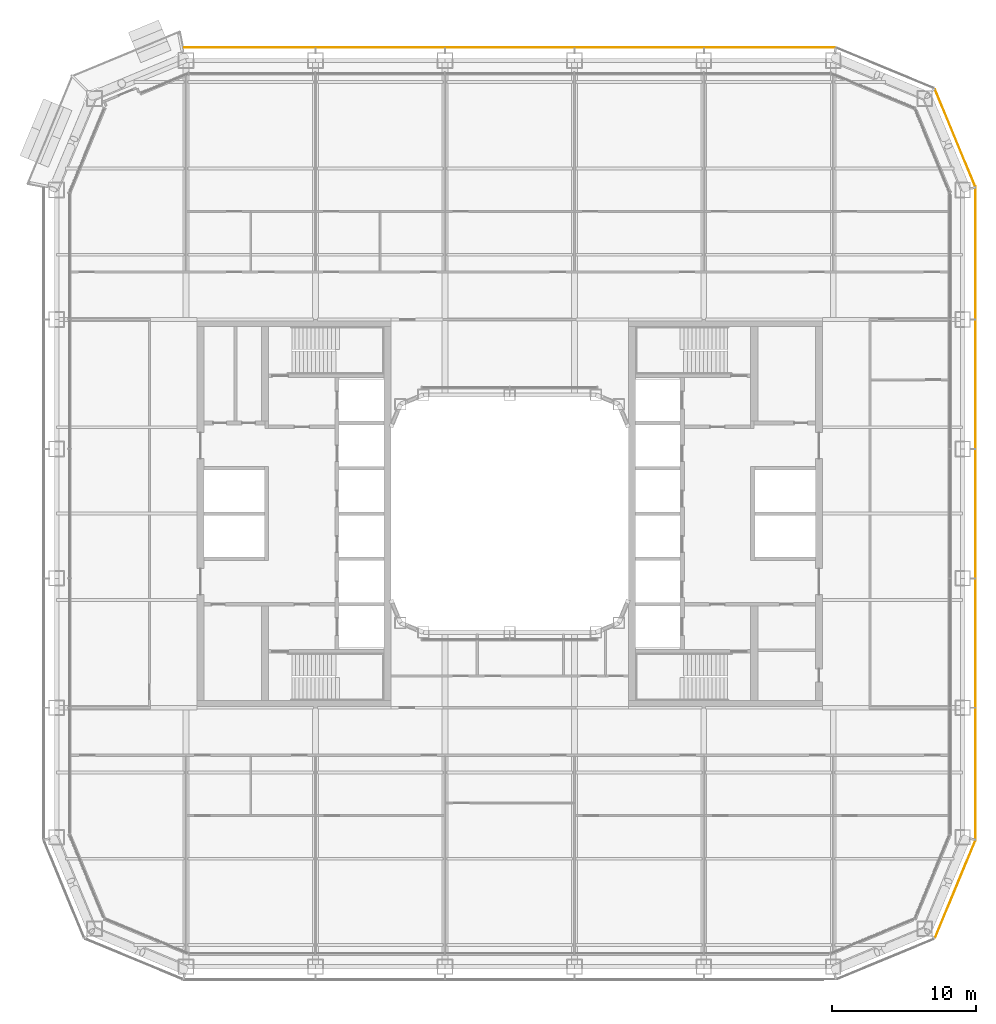
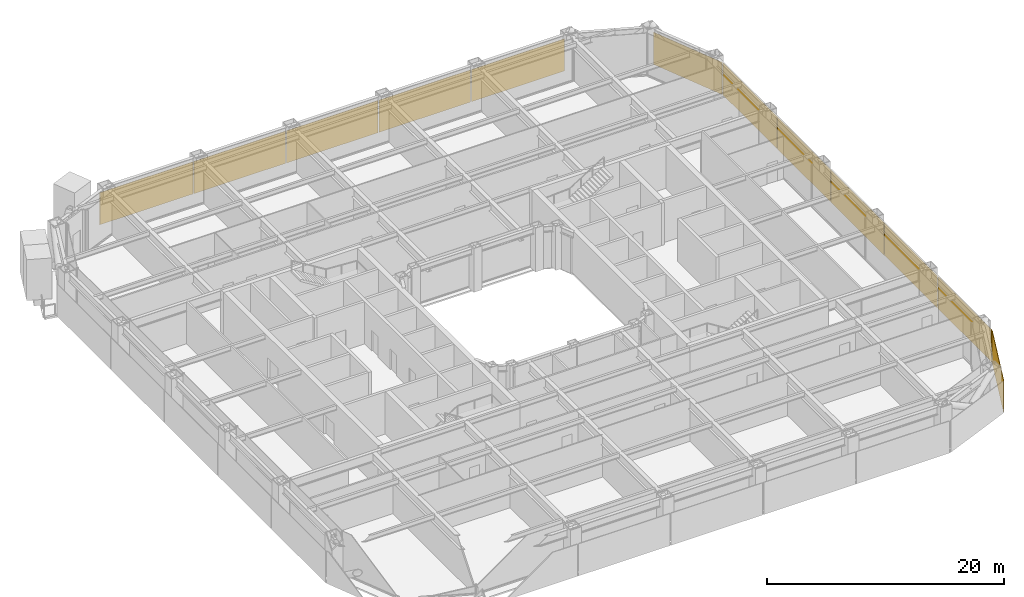
# One storey, part 28 of 29: 12 coverings.
"""IFC4 building model written with IfcOpenShell, lengths in metres."""

from ifc_helpers import new_model, si_unit, direction, frame, origin, origin_2d, place, context, subcontext, project, spatial, rectangle, extrude, material, layer, layer_set, type_object, element, save


model = new_model("IFC4")

# Units and contexts
model_context = context("Model", 3, precision=1e-05, world=origin(), true_north=direction((0.0, 1.0)))
body_context = subcontext(model_context, "Body", "Model", "MODEL_VIEW")
ifc_project = project(units=[si_unit("LENGTHUNIT", "METRE"), si_unit("AREAUNIT", "SQUARE_METRE"), si_unit("VOLUMEUNIT", "CUBIC_METRE"), si_unit("PLANEANGLEUNIT", "RADIAN"), si_unit("MASSUNIT", "GRAM", prefix="KILO")], contexts=[model_context])

# Site, building, storey
site_placement = place(None, origin())
site = spatial("IfcSite", under=ifc_project, at=site_placement, CompositionType="ELEMENT")
building_placement = place(site_placement, origin())
building = spatial("IfcBuilding", under=site, at=building_placement, Name="Siwar Civic Tower", CompositionType="ELEMENT")
storey_placement = place(building_placement, frame((0.0, 0.0, 49.199951171875)))
storey = spatial("IfcBuildingStorey", under=building, at=storey_placement, Name="L10", CompositionType="ELEMENT", Elevation=49.199951171875)

# Coverings
ifc_material_1 = material(Name="Perforated aluminium cassette, pale metal", Category="aluminium")
ifc_layer_1 = layer(ifc_material_1, 0.0400390625)
ifc_layer_set_1 = layer_set([ifc_layer_1], Name="Perforated aluminium cassette, pale metal")
covering_type_1 = type_object("IfcCoveringType", Name="ENV-OUTER SKIN OS-1", PredefinedType="CLADDING", material=ifc_layer_set_1)
covering_1_placement = place(storey_placement, frame((32.39990234375, -18.07958984375, -0.14990234375), z_axis=(0.0, 0.0, 1.0), x_axis=(0.0, 1.0, 0.0)))
element("IfcCovering", 1, at=covering_1_placement, inside=storey, type_object=covering_type_1, Name="OUTER SKIN OS-1 E 1", PredefinedType="CLADDING", context=body_context, shape_type="SweptSolid", body=[
    extrude(rectangle(XDim=9.05908203125, YDim=0.0400390625, at=origin_2d()), origin(), (0.0, 0.0, 1.0), 3.300048828125),
])
for number, where, z_axis, x_axis, name in (
    (2, (32.39990234375, -9.0, -0.14990234375), (0.0, 0.0, 1.0), (0.0, 1.0, 0.0), "OUTER SKIN OS-1 E 2"),
    (3, (32.39990234375, 0.0, -0.14990234375), (0.0, 0.0, 1.0), (0.0, 1.0, 0.0), "OUTER SKIN OS-1 E 3"),
    (4, (32.39990234375, 9.0, -0.14990234375), (0.0, 0.0, 1.0), (0.0, 1.0, 0.0), "OUTER SKIN OS-1 E 4"),
):
    element("IfcCovering", number, at=place(storey_placement, frame(where, z_axis=z_axis, x_axis=x_axis)), inside=storey, type_object=covering_type_1, Name=name, PredefinedType="CLADDING", context=body_context, shape_type="SweptSolid", body=[
        extrude(rectangle(XDim=8.89990234375, YDim=0.0400390625, at=origin_2d()), origin(), (0.0, 0.0, 1.0), 3.300048828125),
    ])
covering_2_placement = place(storey_placement, frame((32.39990234375, 18.07958984375, -0.14990234375), z_axis=(0.0, 0.0, 1.0), x_axis=(0.0, 1.0, 0.0)))
element("IfcCovering", 5, at=covering_2_placement, inside=storey, type_object=covering_type_1, Name="OUTER SKIN OS-1 E 5", PredefinedType="CLADDING", context=body_context, shape_type="SweptSolid", body=[
    extrude(rectangle(XDim=9.05908203125, YDim=0.0400390625, at=origin_2d()), origin(), (0.0, 0.0, 1.0), 3.300048828125),
])
covering_3_placement = place(storey_placement, frame((30.976318359375, 26.115966796875, -0.14990234375), z_axis=(0.0, 0.0, 1.0), x_axis=(-0.382683432365, 0.923879532511, 0.0)))
element("IfcCovering", 6, at=covering_3_placement, inside=storey, type_object=covering_type_1, Name="OUTER SKIN OS-1 NE1 1", PredefinedType="CLADDING", context=body_context, shape_type="SweptSolid", body=[
    extrude(rectangle(XDim=7.300048828125, YDim=0.0400390625, at=origin_2d()), origin(), (0.0, 0.0, 1.0), 3.300048828125),
])
covering_4_placement = place(storey_placement, frame((18.07958984375, 32.39990234375, -0.14990234375), z_axis=(0.0, 0.0, 1.0), x_axis=(-1.0, 0.0, 0.0)))
element("IfcCovering", 7, at=covering_4_placement, inside=storey, type_object=covering_type_1, Name="OUTER SKIN OS-1 N 1", PredefinedType="CLADDING", context=body_context, shape_type="SweptSolid", body=[
    extrude(rectangle(XDim=9.05908203125, YDim=0.0400390625, at=origin_2d()), origin(), (0.0, 0.0, 1.0), 3.300048828125),
])
for number, where, z_axis, x_axis, name in (
    (8, (9.0, 32.39990234375, -0.14990234375), (0.0, 0.0, 1.0), (-1.0, 0.0, 0.0), "OUTER SKIN OS-1 N 2"),
    (9, (0.0, 32.39990234375, -0.14990234375), (0.0, 0.0, 1.0), (-1.0, 0.0, 0.0), "OUTER SKIN OS-1 N 3"),
    (10, (-9.0, 32.39990234375, -0.14990234375), (0.0, 0.0, 1.0), (-1.0, 0.0, 0.0), "OUTER SKIN OS-1 N 4"),
):
    element("IfcCovering", number, at=place(storey_placement, frame(where, z_axis=z_axis, x_axis=x_axis)), inside=storey, type_object=covering_type_1, Name=name, PredefinedType="CLADDING", context=body_context, shape_type="SweptSolid", body=[
        extrude(rectangle(XDim=8.89990234375, YDim=0.0400390625, at=origin_2d()), origin(), (0.0, 0.0, 1.0), 3.300048828125),
    ])
covering_5_placement = place(storey_placement, frame((-18.07958984375, 32.39990234375, -0.14990234375), z_axis=(0.0, 0.0, 1.0), x_axis=(-1.0, 0.0, 0.0)))
element("IfcCovering", 11, at=covering_5_placement, inside=storey, type_object=covering_type_1, Name="OUTER SKIN OS-1 N 5", PredefinedType="CLADDING", context=body_context, shape_type="SweptSolid", body=[
    extrude(rectangle(XDim=9.05908203125, YDim=0.0400390625, at=origin_2d()), origin(), (0.0, 0.0, 1.0), 3.300048828125),
])
ifc_material_2 = material(Name="Perforated aluminium cassette, pale metal", Category="aluminium")
ifc_layer_2 = layer(ifc_material_2, 0.044921875)
ifc_layer_set_2 = layer_set([ifc_layer_2], Name="Perforated aluminium cassette, pale metal")
covering_type_2 = type_object("IfcCoveringType", Name="ENV-OUTER SKIN OS-2", PredefinedType="CLADDING", material=ifc_layer_set_2)
covering_6_placement = place(storey_placement, frame((30.976318359375, -26.115966796875, -0.14990234375), z_axis=(0.0, 0.0, 1.0), x_axis=(0.382683432365, 0.923879532511, 0.0)))
element("IfcCovering", 12, at=covering_6_placement, inside=storey, type_object=covering_type_2, Name="OUTER SKIN OS-2 SE2 1", PredefinedType="CLADDING", context=body_context, shape_type="SweptSolid", body=[
    extrude(rectangle(XDim=7.300048828125, YDim=0.044921875, at=origin_2d()), origin(), (0.0, 0.0, 1.0), 3.300048828125),
])

save(model, "model.ifc")
